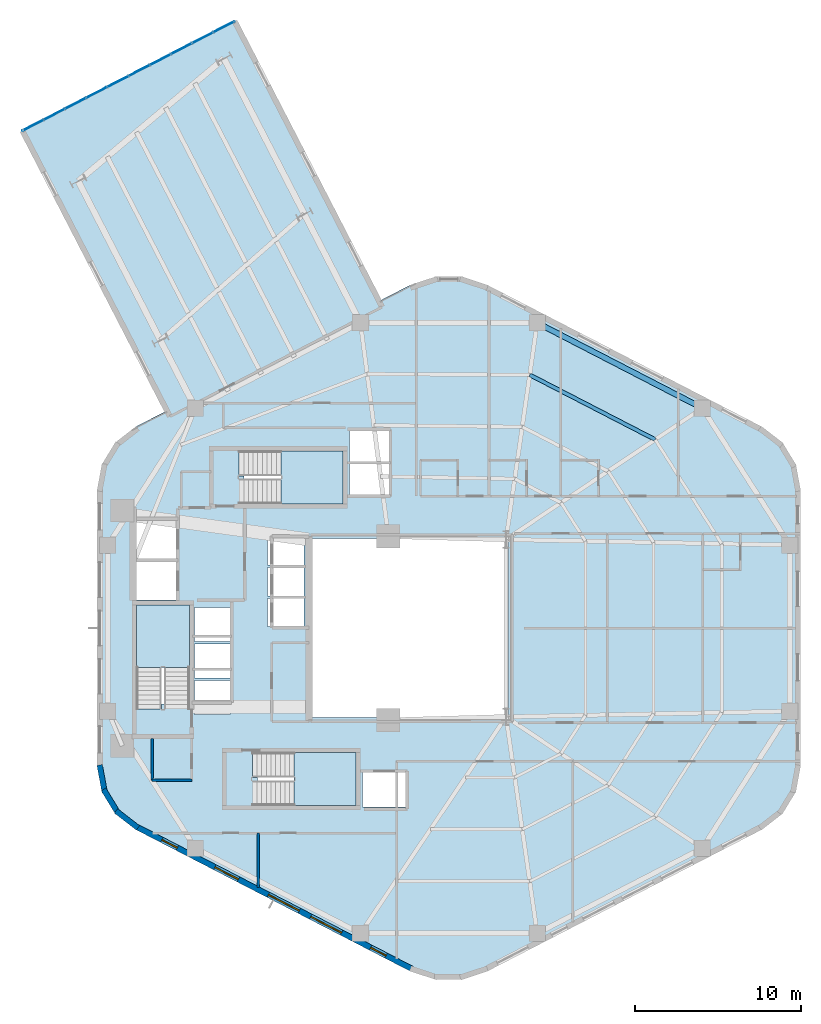
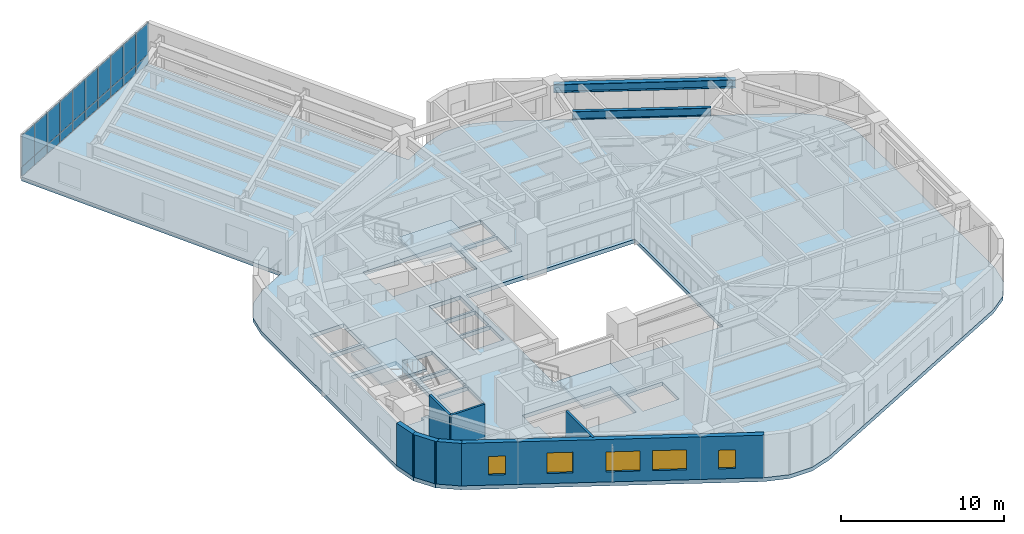
# One storey, part 5 of 11: 20 plates, 7 walls, 5 windows, 4 slabs, 2 beams, 5 openings, 4 elements without a shape of their own.
"""IFC4 building model written with IfcOpenShell, lengths in metres."""

from ifc_helpers import new_model, si_unit, direction, frame, frame_2d, origin, origin_2d, place, context, subcontext, project, spatial, polyline, rectangle, i_section, outline, extrude, material, layer, layer_set, material_profile, profile_set, type_object, element, fill, aggregate, save


model = new_model("IFC4")

# Units and contexts
model_context = context("Model", 3, precision=1e-05, world=origin(), true_north=direction((0.0, 1.0)))
body_context = subcontext(model_context, "Body", "Model", "MODEL_VIEW")
ifc_project = project(units=[si_unit("LENGTHUNIT", "METRE"), si_unit("AREAUNIT", "SQUARE_METRE"), si_unit("VOLUMEUNIT", "CUBIC_METRE"), si_unit("PLANEANGLEUNIT", "RADIAN"), si_unit("MASSUNIT", "GRAM", prefix="KILO"), si_unit("THERMODYNAMICTEMPERATUREUNIT", "KELVIN"), si_unit("POWERUNIT", "WATT")], contexts=[model_context])

# Site, building, storey
site_placement = place(None, origin())
site = spatial("IfcSite", under=ifc_project, at=site_placement, CompositionType="ELEMENT")
building_placement = place(site_placement, origin())
building = spatial("IfcBuilding", under=site, at=building_placement, Name="Skarre Station Tower", CompositionType="ELEMENT")
storey_placement = place(building_placement, frame((0.0, 0.0, 146.39990234375)))
storey = spatial("IfcBuildingStorey", under=building, at=storey_placement, Name="L39", CompositionType="ELEMENT", Elevation=146.39990234375)

# Beams
ifc_material_1 = material(Name="Steel ASTM A992 Grade 50", Category="steel")
ifc_material_profile_1 = material_profile(ifc_material_1, i_section(OverallWidth=0.22802734375, OverallDepth=0.60791015625, WebThickness=0.010986328125, FlangeThickness=0.01708984375, at=origin_2d()), Name="Steel ASTM A992 Grade 50")
ifc_profile_set_1 = profile_set([ifc_material_profile_1], Name="Steel ASTM A992 Grade 50")
beam_type_1 = type_object("IfcBeamType", Name="Steel Joist W24X76", PredefinedType="JOIST", material=ifc_profile_set_1)
beam_1_placement = place(storey_placement, frame((48.448974609375, 35.375, 2.885986328125), z_axis=(-0.888603699553, 0.45867577344, 0.0), x_axis=(-0.45867577344, -0.888603699553, 0.0)))
element("IfcBeam", 1, at=beam_1_placement, inside=storey, type_object=beam_type_1, Name="L39 Secondary Floor Joist 3", PredefinedType="JOIST", context=body_context, shape_type="SweptSolid", body=[
    extrude(i_section(OverallWidth=0.22802734375, OverallDepth=0.60791015625, WebThickness=0.010986328125, FlangeThickness=0.01708984375, at=origin_2d()), origin(), (0.0, 0.0, 1.0), 8.51806640625),
])
ifc_material_profile_2 = material_profile(ifc_material_1, i_section(OverallWidth=0.327880859375, OverallDepth=0.6279296875, WebThickness=0.01708984375, FlangeThickness=0.028076171875, at=origin_2d()), Name="Steel ASTM A992 Grade 50")
ifc_profile_set_2 = profile_set([ifc_material_profile_2], Name="Steel ASTM A992 Grade 50")
beam_type_2 = type_object("IfcBeamType", Name="Steel Spandrel W24X146", PredefinedType="SPANDREL", material=ifc_profile_set_2)
beam_2_placement = place(storey_placement, frame((51.291015625, 37.277099609375, 2.8759765625), z_axis=(-0.888611779493, 0.458660119639, 0.0), x_axis=(-0.458660119639, -0.888611779493, 0.0)))
element("IfcBeam", 2, at=beam_2_placement, inside=storey, type_object=beam_type_2, Name="L39 Facet Spandrel Beam 1", PredefinedType="SPANDREL", context=body_context, shape_type="SweptSolid", body=[
    extrude(i_section(OverallWidth=0.327880859375, OverallDepth=0.6279296875, WebThickness=0.01708984375, FlangeThickness=0.028076171875, at=origin_2d()), origin(), (0.0, 0.0, 1.0), 11.20849609375),
])

# Curtain wall, plates
ifc_material_2 = material(Name="Thermally Broken Bronze-Anodized Aluminium & Triple Low-E Glass", Category="aluminium")
ifc_layer_1 = layer(ifc_material_2, 0.2099609375, Name="Thermally Broken Bronze-Anodized Aluminium & Triple Low-E Glass")
ifc_layer_set_1 = layer_set([ifc_layer_1], Name="Thermally Broken Bronze-Anodized Aluminium & Triple Low-E Glass")
curtain_wall_type = type_object("IfcCurtainWallType", Name="Sky-Bar Prow Structural Glazed Curtain Wall", PredefinedType="NOTDEFINED", material=ifc_layer_set_1)
curtain_wall_placement = place(storey_placement, origin())
curtain_wall = element("IfcCurtainWall", 3, at=curtain_wall_placement, inside=storey, type_object=curtain_wall_type, Name="L39 SB-3 Lakefront Prow Curtain Wall", PredefinedType="NOTDEFINED")
ifc_material_3 = material(Name="Insulated Bronze Anodized Aluminium Spandrel", Category="aluminium")
ifc_layer_2 = layer(ifc_material_3, 0.052001953125, Name="Insulated Bronze Anodized Aluminium Spandrel")
ifc_layer_set_2 = layer_set([ifc_layer_2], Name="Insulated Bronze Anodized Aluminium Spandrel")
plate_type_1 = type_object("IfcPlateType", Name="Bronze Insulated Spandrel Sheet Panel 52", PredefinedType="SHEET", material=ifc_layer_set_2)
plate_1_placement = place(storey_placement, frame((10.9189453125, 54.3359375, 0.052001953125), z_axis=(0.0, 0.0, 1.0), x_axis=(0.888601222224, 0.458680572798, 0.0)))
plate_1 = element("IfcPlate", 4, at=plate_1_placement, type_object=plate_type_1, Name="L39 SB-3 Lakefront Prow Curtain Wall Spandrel Panel 1-1", PredefinedType="SHEET", context=body_context, shape_type="SweptSolid", body=[
    extrude(rectangle(XDim=1.416015625, YDim=0.052001953125, at=origin_2d()), origin(), (0.0, 0.0, 1.0), 0.68603515625),
])
plate_2_placement = place(storey_placement, frame((12.197998046875, 54.9970703125, 0.052001953125), z_axis=(0.0, 0.0, 1.0), x_axis=(0.888601222224, 0.458680572798, 0.0)))
plate_2 = element("IfcPlate", 5, at=plate_2_placement, type_object=plate_type_1, Name="L39 SB-3 Lakefront Prow Curtain Wall Spandrel Panel 2-1", PredefinedType="SHEET", context=body_context, shape_type="SweptSolid", body=[
    extrude(rectangle(XDim=1.416015625, YDim=0.052001953125, at=origin_2d()), origin(), (0.0, 0.0, 1.0), 0.68603515625),
])
plate_3_placement = place(storey_placement, frame((13.47802734375, 55.656982421875, 0.052001953125), z_axis=(0.0, 0.0, 1.0), x_axis=(0.888601222224, 0.458680572798, 0.0)))
plate_3 = element("IfcPlate", 6, at=plate_3_placement, type_object=plate_type_1, Name="L39 SB-3 Lakefront Prow Curtain Wall Spandrel Panel 3-1", PredefinedType="SHEET", context=body_context, shape_type="SweptSolid", body=[
    extrude(rectangle(XDim=1.416015625, YDim=0.052001953125, at=origin_2d()), origin(), (0.0, 0.0, 1.0), 0.68603515625),
])
plate_4_placement = place(storey_placement, frame((14.758056640625, 56.318115234375, 0.052001953125), z_axis=(0.0, 0.0, 1.0), x_axis=(0.888601222224, 0.458680572798, 0.0)))
plate_4 = element("IfcPlate", 7, at=plate_4_placement, type_object=plate_type_1, Name="L39 SB-3 Lakefront Prow Curtain Wall Spandrel Panel 4-1", PredefinedType="SHEET", context=body_context, shape_type="SweptSolid", body=[
    extrude(rectangle(XDim=1.416015625, YDim=0.052001953125, at=origin_2d()), origin(), (0.0, 0.0, 1.0), 0.68603515625),
])
plate_5_placement = place(storey_placement, frame((16.037109375, 56.97802734375, 0.052001953125), z_axis=(0.0, 0.0, 1.0), x_axis=(0.888601222224, 0.458680572798, 0.0)))
plate_5 = element("IfcPlate", 8, at=plate_5_placement, type_object=plate_type_1, Name="L39 SB-3 Lakefront Prow Curtain Wall Spandrel Panel 5-1", PredefinedType="SHEET", context=body_context, shape_type="SweptSolid", body=[
    extrude(rectangle(XDim=1.416015625, YDim=0.052001953125, at=origin_2d()), origin(), (0.0, 0.0, 1.0), 0.68603515625),
])
plate_6_placement = place(storey_placement, frame((17.31689453125, 57.638916015625, 0.052001953125), z_axis=(0.0, 0.0, 1.0), x_axis=(0.888601222224, 0.458680572798, 0.0)))
plate_6 = element("IfcPlate", 9, at=plate_6_placement, type_object=plate_type_1, Name="L39 SB-3 Lakefront Prow Curtain Wall Spandrel Panel 6-1", PredefinedType="SHEET", context=body_context, shape_type="SweptSolid", body=[
    extrude(rectangle(XDim=1.416015625, YDim=0.052001953125, at=origin_2d()), origin(), (0.0, 0.0, 1.0), 0.68603515625),
])
plate_7_placement = place(storey_placement, frame((18.595947265625, 58.299072265625, 0.052001953125), z_axis=(0.0, 0.0, 1.0), x_axis=(0.888601222224, 0.458680572798, 0.0)))
plate_7 = element("IfcPlate", 10, at=plate_7_placement, type_object=plate_type_1, Name="L39 SB-3 Lakefront Prow Curtain Wall Spandrel Panel 7-1", PredefinedType="SHEET", context=body_context, shape_type="SweptSolid", body=[
    extrude(rectangle(XDim=1.416015625, YDim=0.052001953125, at=origin_2d()), origin(), (0.0, 0.0, 1.0), 0.68603515625),
])
plate_8_placement = place(storey_placement, frame((19.8759765625, 58.9599609375, 0.052001953125), z_axis=(0.0, 0.0, 1.0), x_axis=(0.888601222224, 0.458680572798, 0.0)))
plate_8 = element("IfcPlate", 11, at=plate_8_placement, type_object=plate_type_1, Name="L39 SB-3 Lakefront Prow Curtain Wall Spandrel Panel 8-1", PredefinedType="SHEET", context=body_context, shape_type="SweptSolid", body=[
    extrude(rectangle(XDim=1.416015625, YDim=0.052001953125, at=origin_2d()), origin(), (0.0, 0.0, 1.0), 0.68603515625),
])
plate_9_placement = place(storey_placement, frame((21.156005859375, 59.6201171875, 0.052001953125), z_axis=(0.0, 0.0, 1.0), x_axis=(0.888601222224, 0.458680572798, 0.0)))
plate_9 = element("IfcPlate", 12, at=plate_9_placement, type_object=plate_type_1, Name="L39 SB-3 Lakefront Prow Curtain Wall Spandrel Panel 9-1", PredefinedType="SHEET", context=body_context, shape_type="SweptSolid", body=[
    extrude(rectangle(XDim=1.416015625, YDim=0.052001953125, at=origin_2d()), origin(), (0.0, 0.0, 1.0), 0.68603515625),
])
plate_10_placement = place(storey_placement, frame((22.43505859375, 60.281005859375, 0.052001953125), z_axis=(0.0, 0.0, 1.0), x_axis=(0.888601222224, 0.458680572798, 0.0)))
plate_10 = element("IfcPlate", 13, at=plate_10_placement, type_object=plate_type_1, Name="L39 SB-3 Lakefront Prow Curtain Wall Spandrel Panel 10-1", PredefinedType="SHEET", context=body_context, shape_type="SweptSolid", body=[
    extrude(rectangle(XDim=1.416015625, YDim=0.052001953125, at=origin_2d()), origin(), (0.0, 0.0, 1.0), 0.68603515625),
])

# Stair, slab
ifc_material_4 = material(Name="Concrete C40/50", Category="concrete")
stair_type_1 = type_object("IfcStairType", Name="Reinforced Concrete Exit Stair ST-1", PredefinedType="HALF_TURN_STAIR", material=ifc_material_4)
stair_1_placement = place(storey_placement, origin())
stair_1 = element("IfcStair", 14, at=stair_1_placement, inside=storey, type_object=stair_type_1, Name="L39 Core Exit Stair ST-1", PredefinedType="HALF_TURN_STAIR")
ifc_layer_3 = layer(ifc_material_4, 0.219970703125, Name="Concrete C40/50")
ifc_layer_set_3 = layer_set([ifc_layer_3], Name="Concrete C40/50")
slab_type_1 = type_object("IfcSlabType", Name="Reinforced Concrete Stair & Ramp Landing 220", PredefinedType="LANDING", material=ifc_layer_set_3)
slab_1_placement = place(storey_placement, frame((0.0, 0.0, 1.525146484375)))
slab_1 = element("IfcSlab", 15, at=slab_1_placement, type_object=slab_type_1, Name="ST-1 landing 1", PredefinedType="LANDING", context=body_context, shape_type="SweptSolid", body=[
    extrude(outline(polyline([(20.35009765625, 21.639892578125), (20.35009765625, 25.39990234375), (17.14990234375, 25.39990234375), (17.14990234375, 21.639892578125), (20.35009765625, 21.639892578125)])), origin(), (0.0, 0.0, 1.0), 0.199951171875),
])
aggregate(stair_1, [slab_1])

stair_type_2 = type_object("IfcStairType", Name="Reinforced Concrete Exit Stair ST-2", PredefinedType="HALF_TURN_STAIR", material=ifc_material_4)
stair_2_placement = place(storey_placement, origin())
stair_2 = element("IfcStair", 16, at=stair_2_placement, inside=storey, type_object=stair_type_2, Name="L39 Core Exit Stair ST-2", PredefinedType="HALF_TURN_STAIR")
slab_2_placement = place(storey_placement, frame((0.0, 0.0, 1.525146484375)))
slab_2 = element("IfcSlab", 17, at=slab_2_placement, type_object=slab_type_1, Name="ST-2 landing 1", PredefinedType="LANDING", context=body_context, shape_type="SweptSolid", body=[
    extrude(outline(polyline([(26.669921875, 13.300048828125), (30.39990234375, 13.300048828125), (30.39990234375, 16.5), (26.669921875, 16.5), (26.669921875, 13.300048828125)])), origin(), (0.0, 0.0, 1.0), 0.199951171875),
])
aggregate(stair_2, [slab_2])

stair_type_3 = type_object("IfcStairType", Name="Reinforced Concrete Exit Stair ST-3", PredefinedType="HALF_TURN_STAIR", material=ifc_material_4)
stair_3_placement = place(storey_placement, origin())
stair_3 = element("IfcStair", 18, at=stair_3_placement, inside=storey, type_object=stair_type_3, Name="L39 Core Exit Stair ST-3", PredefinedType="HALF_TURN_STAIR")
slab_3_placement = place(storey_placement, frame((0.0, 0.0, 1.525146484375)))
slab_3 = element("IfcSlab", 19, at=slab_3_placement, type_object=slab_type_1, Name="ST-3 landing 1", PredefinedType="LANDING", context=body_context, shape_type="SweptSolid", body=[
    extrude(outline(polyline([(25.8701171875, 31.5), (29.60009765625, 31.5), (29.60009765625, 34.699951171875), (25.8701171875, 34.699951171875), (25.8701171875, 31.5)])), origin(), (0.0, 0.0, 1.0), 0.199951171875),
])
aggregate(stair_3, [slab_3])

# Slab
ifc_material_5 = material(Name="Concrete C50/60", Category="concrete")
ifc_layer_4 = layer(ifc_material_5, 0.2900390625, Name="Concrete C50/60")
ifc_layer_set_4 = layer_set([ifc_layer_4], Name="Concrete C50/60")
slab_type_2 = type_object("IfcSlabType", Name="Sky-Bar Composite Floor Slab 290", PredefinedType="FLOOR", material=ifc_layer_set_4)
slab_4_placement = place(storey_placement, frame((0.0, 0.0, -0.289794921875)))
element("IfcSlab", 20, at=slab_4_placement, inside=storey, type_object=slab_type_2, Name="L39 Tower and SB-3 Floor Slab", PredefinedType="FLOOR", context=body_context, shape_type="SweptSolid", body=[
    extrude(outline(polyline([(31.7890625, 43.72705078125), (23.074951171875, 60.611083984375), (10.279052734375, 54.006103515625), (18.992919921875, 37.123046875), (17.091064453125, 36.14111328125), (15.867919921875, 35.194091796875), (15.06298828125, 33.873046875), (14.781982421875, 32.35205078125), (14.781982421875, 15.64794921875), (15.06298828125, 14.126953125), (15.867919921875, 12.805908203125), (17.091064453125, 11.85888671875), (33.69091796875, 3.291015625), (35.2041015625, 2.7939453125), (36.7958984375, 2.7939453125), (38.30908203125, 3.291015625), (54.908935546875, 11.85888671875), (56.132080078125, 12.805908203125), (56.93701171875, 14.126953125), (57.218017578125, 15.64794921875), (57.218017578125, 32.35205078125), (56.93701171875, 33.873046875), (56.132080078125, 35.194091796875), (54.908935546875, 36.14111328125), (38.30908203125, 44.708984375), (36.7958984375, 45.2060546875), (35.2041015625, 45.2060546875), (33.69091796875, 44.708984375), (31.7890625, 43.72705078125)]), holes=[polyline([(18.669921875, 19.419921875), (18.669921875, 19.123046875), (17.14990234375, 19.123046875), (17.14990234375, 25.39990234375), (20.35009765625, 25.39990234375), (20.35009765625, 19.419921875), (18.669921875, 19.419921875)]), polyline([(24.449951171875, 14.97998046875), (24.153076171875, 14.97998046875), (24.153076171875, 16.5), (30.39990234375, 16.5), (30.39990234375, 13.300048828125), (24.449951171875, 13.300048828125), (24.449951171875, 14.97998046875)]), polyline([(23.64990234375, 33.179931640625), (23.35302734375, 33.179931640625), (23.35302734375, 34.699951171875), (29.60009765625, 34.699951171875), (29.60009765625, 31.5), (23.64990234375, 31.5), (23.64990234375, 33.179931640625)]), polyline([(17.14990234375, 28.0), (19.550048828125, 28.0), (19.550048828125, 25.699951171875), (17.14990234375, 25.699951171875), (17.14990234375, 28.0)]), polyline([(17.14990234375, 30.5), (19.550048828125, 30.5), (19.550048828125, 28.199951171875), (17.14990234375, 28.199951171875), (17.14990234375, 30.5)]), polyline([(30.800048828125, 15.300048828125), (33.39990234375, 15.300048828125), (33.39990234375, 13.199951171875), (30.800048828125, 13.199951171875), (30.800048828125, 15.300048828125)]), polyline([(25.050048828125, 25.800048828125), (27.25, 25.800048828125), (27.25, 24.10009765625), (25.050048828125, 24.10009765625), (25.050048828125, 25.800048828125)]), polyline([(25.050048828125, 27.64990234375), (27.25, 27.64990234375), (27.25, 25.949951171875), (25.050048828125, 25.949951171875), (25.050048828125, 27.64990234375)]), polyline([(25.050048828125, 29.5), (27.25, 29.5), (27.25, 27.800048828125), (25.050048828125, 27.800048828125), (25.050048828125, 29.5)]), polyline([(20.64990234375, 20.85009765625), (22.800048828125, 20.85009765625), (22.800048828125, 18.800048828125), (20.64990234375, 18.800048828125), (20.64990234375, 20.85009765625)]), polyline([(20.64990234375, 23.050048828125), (22.800048828125, 23.050048828125), (22.800048828125, 21.0), (20.64990234375, 21.0), (20.64990234375, 23.050048828125)]), polyline([(20.64990234375, 25.25), (22.800048828125, 25.25), (22.800048828125, 23.199951171875), (20.64990234375, 23.199951171875), (20.64990234375, 25.25)]), polyline([(30.0, 33.89990234375), (32.39990234375, 33.89990234375), (32.39990234375, 32.050048828125), (30.0, 32.050048828125), (30.0, 33.89990234375)]), polyline([(30.0, 35.89990234375), (32.39990234375, 35.89990234375), (32.39990234375, 34.050048828125), (30.0, 34.050048828125), (30.0, 35.89990234375)]), polyline([(27.60009765625, 29.39990234375), (39.60009765625, 29.39990234375), (39.60009765625, 18.60009765625), (27.60009765625, 18.60009765625), (27.60009765625, 29.39990234375)])]), origin(), (0.0, 0.0, 1.0), 0.289794921875),
])

# Plate
ifc_material_6 = material(Name="Low-Iron Triple Insulating Glass Unit", Category="glass")
ifc_layer_5 = layer(ifc_material_6, 0.0439453125, Name="Low-Iron Triple Insulating Glass Unit")
ifc_layer_set_5 = layer_set([ifc_layer_5], Name="Low-Iron Triple Insulating Glass Unit")
plate_type_2 = type_object("IfcPlateType", Name="Triple-Glazed Vision Curtain Panel 44", PredefinedType="CURTAIN_PANEL", material=ifc_layer_set_5)
plate_11_placement = place(storey_placement, frame((10.9189453125, 54.3359375, 0.76220703125), z_axis=(0.0, 0.0, 1.0), x_axis=(0.888601222224, 0.458680572798, 0.0)))
plate_11 = element("IfcPlate", 21, at=plate_11_placement, type_object=plate_type_2, Name="L39 SB-3 Lakefront Prow Curtain Wall Vision Panel 1-2", PredefinedType="CURTAIN_PANEL", context=body_context, shape_type="SweptSolid", body=[
    extrude(rectangle(XDim=1.416015625, YDim=0.0439453125, at=origin_2d()), origin(), (0.0, 0.0, 1.0), 2.3759765625),
])

plate_12_placement = place(storey_placement, frame((12.197998046875, 54.9970703125, 0.76220703125), z_axis=(0.0, 0.0, 1.0), x_axis=(0.888601222224, 0.458680572798, 0.0)))
plate_12 = element("IfcPlate", 22, at=plate_12_placement, type_object=plate_type_2, Name="L39 SB-3 Lakefront Prow Curtain Wall Vision Panel 2-2", PredefinedType="CURTAIN_PANEL", context=body_context, shape_type="SweptSolid", body=[
    extrude(rectangle(XDim=1.416015625, YDim=0.0439453125, at=origin_2d()), origin(), (0.0, 0.0, 1.0), 2.3759765625),
])

plate_13_placement = place(storey_placement, frame((13.47802734375, 55.656982421875, 0.76220703125), z_axis=(0.0, 0.0, 1.0), x_axis=(0.888601222224, 0.458680572798, 0.0)))
plate_13 = element("IfcPlate", 23, at=plate_13_placement, type_object=plate_type_2, Name="L39 SB-3 Lakefront Prow Curtain Wall Vision Panel 3-2", PredefinedType="CURTAIN_PANEL", context=body_context, shape_type="SweptSolid", body=[
    extrude(rectangle(XDim=1.416015625, YDim=0.0439453125, at=origin_2d()), origin(), (0.0, 0.0, 1.0), 2.3759765625),
])

plate_14_placement = place(storey_placement, frame((14.758056640625, 56.318115234375, 0.76220703125), z_axis=(0.0, 0.0, 1.0), x_axis=(0.888601222224, 0.458680572798, 0.0)))
plate_14 = element("IfcPlate", 24, at=plate_14_placement, type_object=plate_type_2, Name="L39 SB-3 Lakefront Prow Curtain Wall Vision Panel 4-2", PredefinedType="CURTAIN_PANEL", context=body_context, shape_type="SweptSolid", body=[
    extrude(rectangle(XDim=1.416015625, YDim=0.0439453125, at=origin_2d()), origin(), (0.0, 0.0, 1.0), 2.3759765625),
])

plate_15_placement = place(storey_placement, frame((16.037109375, 56.97802734375, 0.76220703125), z_axis=(0.0, 0.0, 1.0), x_axis=(0.888601222224, 0.458680572798, 0.0)))
plate_15 = element("IfcPlate", 25, at=plate_15_placement, type_object=plate_type_2, Name="L39 SB-3 Lakefront Prow Curtain Wall Vision Panel 5-2", PredefinedType="CURTAIN_PANEL", context=body_context, shape_type="SweptSolid", body=[
    extrude(rectangle(XDim=1.416015625, YDim=0.0439453125, at=origin_2d()), origin(), (0.0, 0.0, 1.0), 2.3759765625),
])

plate_16_placement = place(storey_placement, frame((17.31689453125, 57.638916015625, 0.76220703125), z_axis=(0.0, 0.0, 1.0), x_axis=(0.888601222224, 0.458680572798, 0.0)))
plate_16 = element("IfcPlate", 26, at=plate_16_placement, type_object=plate_type_2, Name="L39 SB-3 Lakefront Prow Curtain Wall Vision Panel 6-2", PredefinedType="CURTAIN_PANEL", context=body_context, shape_type="SweptSolid", body=[
    extrude(rectangle(XDim=1.416015625, YDim=0.0439453125, at=origin_2d()), origin(), (0.0, 0.0, 1.0), 2.3759765625),
])

plate_17_placement = place(storey_placement, frame((18.595947265625, 58.299072265625, 0.76220703125), z_axis=(0.0, 0.0, 1.0), x_axis=(0.888601222224, 0.458680572798, 0.0)))
plate_17 = element("IfcPlate", 27, at=plate_17_placement, type_object=plate_type_2, Name="L39 SB-3 Lakefront Prow Curtain Wall Vision Panel 7-2", PredefinedType="CURTAIN_PANEL", context=body_context, shape_type="SweptSolid", body=[
    extrude(rectangle(XDim=1.416015625, YDim=0.0439453125, at=origin_2d()), origin(), (0.0, 0.0, 1.0), 2.3759765625),
])

plate_18_placement = place(storey_placement, frame((19.8759765625, 58.9599609375, 0.76220703125), z_axis=(0.0, 0.0, 1.0), x_axis=(0.888601222224, 0.458680572798, 0.0)))
plate_18 = element("IfcPlate", 28, at=plate_18_placement, type_object=plate_type_2, Name="L39 SB-3 Lakefront Prow Curtain Wall Vision Panel 8-2", PredefinedType="CURTAIN_PANEL", context=body_context, shape_type="SweptSolid", body=[
    extrude(rectangle(XDim=1.416015625, YDim=0.0439453125, at=origin_2d()), origin(), (0.0, 0.0, 1.0), 2.3759765625),
])

plate_19_placement = place(storey_placement, frame((21.156005859375, 59.6201171875, 0.76220703125), z_axis=(0.0, 0.0, 1.0), x_axis=(0.888601222224, 0.458680572798, 0.0)))
plate_19 = element("IfcPlate", 29, at=plate_19_placement, type_object=plate_type_2, Name="L39 SB-3 Lakefront Prow Curtain Wall Vision Panel 9-2", PredefinedType="CURTAIN_PANEL", context=body_context, shape_type="SweptSolid", body=[
    extrude(rectangle(XDim=1.416015625, YDim=0.0439453125, at=origin_2d()), origin(), (0.0, 0.0, 1.0), 2.3759765625),
])

plate_20_placement = place(storey_placement, frame((22.43505859375, 60.281005859375, 0.76220703125), z_axis=(0.0, 0.0, 1.0), x_axis=(0.888601222224, 0.458680572798, 0.0)))
plate_20 = element("IfcPlate", 30, at=plate_20_placement, type_object=plate_type_2, Name="L39 SB-3 Lakefront Prow Curtain Wall Vision Panel 10-2", PredefinedType="CURTAIN_PANEL", context=body_context, shape_type="SweptSolid", body=[
    extrude(rectangle(XDim=1.416015625, YDim=0.0439453125, at=origin_2d()), origin(), (0.0, 0.0, 1.0), 2.3759765625),
])

aggregate(curtain_wall, [plate_1, plate_11, plate_2, plate_12, plate_3, plate_13, plate_4, plate_14, plate_5, plate_15, plate_6, plate_16, plate_7, plate_17, plate_8, plate_18, plate_9, plate_19, plate_10, plate_20])

# Walls
ifc_material_7 = material(Name="Acoustic Steel-Stud Gypsum Partition", Category="steel")
ifc_layer_6 = layer(ifc_material_7, 0.14990234375, Name="Acoustic Steel-Stud Gypsum Partition")
ifc_layer_set_6 = layer_set([ifc_layer_6], Name="Acoustic Steel-Stud Gypsum Partition")
wall_type_1 = type_object("IfcWallType", Name="Fire-Rated Corridor Acoustic Partition 150", PredefinedType="PARTITIONING", material=ifc_layer_set_6)
wall_1_placement = place(storey_placement, frame((18.10009765625, 17.340087890625, 0.0), z_axis=(0.0, 0.0, 1.0), x_axis=(0.0, -1.0, 0.0)))
element("IfcWall", 31, at=wall_1_placement, inside=storey, type_object=wall_type_1, Name="L39 Interior Partition WL-PT-L39-CSVC-W", PredefinedType="PARTITIONING", context=body_context, shape_type="SweptSolid", body=[
    extrude(rectangle(XDim=2.52001953125, YDim=0.14990234375, at=frame_2d((1.260009765625, 0.0))), origin(), (0.0, 0.0, 1.0), 3.190185546875),
])
wall_2_placement = place(storey_placement, frame((18.10009765625, 14.820068359375, 0.0), z_axis=(0.0, 0.0, 1.0), x_axis=(1.0, 0.0, 0.0)))
element("IfcWall", 32, at=wall_2_placement, inside=storey, type_object=wall_type_1, Name="L39 Interior Partition WL-PT-L39-CSVC-S", PredefinedType="PARTITIONING", context=body_context, shape_type="SweptSolid", body=[
    extrude(rectangle(XDim=2.389892578125, YDim=0.14990234375, at=frame_2d((1.19482421875, 0.0))), origin(), (0.0, 0.0, 1.0), 3.190185546875),
])
wall_3_placement = place(storey_placement, frame((24.5, 8.35009765625, 0.0), z_axis=(0.0, 0.0, 1.0), x_axis=(0.0, 1.0, 0.0)))
element("IfcWall", 33, at=wall_3_placement, inside=storey, type_object=wall_type_1, Name="L39 Interior Partition WL-PT-L39-SWP-M", PredefinedType="PARTITIONING", context=body_context, shape_type="SweptSolid", body=[
    extrude(rectangle(XDim=3.289794921875, YDim=0.14990234375, at=frame_2d((1.64501953125, 0.0))), origin(), (0.0, 0.0, 1.0), 3.190185546875),
])

# Wall, openings, windows
ifc_material_8 = material(Name="Precast concrete C45/55", Category="concrete")
ifc_layer_7 = layer(ifc_material_8, 0.340087890625, Name="Precast concrete C45/55")
ifc_layer_set_7 = layer_set([ifc_layer_7], Name="Precast concrete C45/55")
wall_type_2 = type_object("IfcWallType", Name="Nordic Honed Precast Facet Wall 340", PredefinedType="STANDARD", material=ifc_layer_set_7)
wall_4_placement = place(storey_placement, frame((33.76904296875, 3.44189453125, 0.0), z_axis=(0.0, 0.0, 1.0), x_axis=(-0.888613612362, 0.458656568606, 0.0)))
wall_4 = element("IfcWall", 34, at=wall_4_placement, inside=storey, type_object=wall_type_2, Name="L39 Facet 3 Nordic Precast Masonry Wall", PredefinedType="STANDARD", context=body_context, shape_type="SweptSolid", body=[
    extrude(rectangle(XDim=18.680908203125, YDim=0.340087890625, at=frame_2d((9.34033203125, 0.0))), origin(), (0.0, 0.0, 1.0), 3.190185546875),
])
opening_1_placement = place(wall_4_placement, frame((1.75, 0.0, 0.75)))
opening_1 = element("IfcOpeningElement", 35, at=opening_1_placement, cuts=wall_4, Name="Opening WN-SLT", PredefinedType="OPENING", context=body_context, shape_type="SweptSolid", body=[
    extrude(rectangle(XDim=1.050048828125, YDim=1.39990234375, at=frame_2d((0.52490234375, 0.699951171875))), frame((0.0, 0.179931640625, 0.0), z_axis=(0.0, -1.0, 0.0), x_axis=(1.0, 0.0, 0.0)), (0.0, 0.0, 1.0), 0.360107421875),
])
opening_2_placement = place(wall_4_placement, frame((4.764892578125, 0.0, 0.75)))
opening_2 = element("IfcOpeningElement", 36, at=opening_2_placement, cuts=wall_4, Name="Opening WN-Z2B", PredefinedType="OPENING", context=body_context, shape_type="SweptSolid", body=[
    extrude(rectangle(XDim=2.10009765625, YDim=1.5, at=frame_2d((1.050048828125, 0.75))), frame((0.0, 0.179931640625, 0.0), z_axis=(0.0, -1.0, 0.0), x_axis=(1.0, 0.0, 0.0)), (0.0, 0.0, 1.0), 0.360107421875),
])
opening_3_placement = place(wall_4_placement, frame((7.64404296875, 0.0, 0.75)))
opening_3 = element("IfcOpeningElement", 37, at=opening_3_placement, cuts=wall_4, Name="Opening WN-Z2B", PredefinedType="OPENING", context=body_context, shape_type="SweptSolid", body=[
    extrude(rectangle(XDim=2.10009765625, YDim=1.5, at=frame_2d((1.050048828125, 0.75))), frame((0.0, 0.179931640625, 0.0), z_axis=(0.0, -1.0, 0.0), x_axis=(1.0, 0.0, 0.0)), (0.0, 0.0, 1.0), 0.360107421875),
])
opening_4_placement = place(wall_4_placement, frame((11.77392578125, 0.0, 0.75)))
opening_4 = element("IfcOpeningElement", 38, at=opening_4_placement, cuts=wall_4, Name="Opening WN-Z2A", PredefinedType="OPENING", context=body_context, shape_type="SweptSolid", body=[
    extrude(rectangle(XDim=1.60009765625, YDim=1.550048828125, at=frame_2d((0.800048828125, 0.77490234375))), frame((0.0, 0.179931640625, 0.0), z_axis=(0.0, -1.0, 0.0), x_axis=(1.0, 0.0, 0.0)), (0.0, 0.0, 1.0), 0.360107421875),
])
opening_5_placement = place(wall_4_placement, frame((15.919921875, 0.0, 0.75)))
opening_5 = element("IfcOpeningElement", 39, at=opening_5_placement, cuts=wall_4, Name="Opening WN-SLT", PredefinedType="OPENING", context=body_context, shape_type="SweptSolid", body=[
    extrude(rectangle(XDim=1.050048828125, YDim=1.39990234375, at=frame_2d((0.52490234375, 0.699951171875))), frame((0.0, 0.179931640625, 0.0), z_axis=(0.0, -1.0, 0.0), x_axis=(1.0, 0.0, 0.0)), (0.0, 0.0, 1.0), 0.360107421875),
])
ifc_material_9 = material(Name="Low-Iron Triple Glazing with Bronze Anodized Frame", Category="glass")
window_type_1 = type_object("IfcWindowType", Name="Nordic Corner Slot Window 1050x1400", PartitioningType="SINGLE_PANEL", PredefinedType="WINDOW", material=ifc_material_9)
window_1_placement = place(opening_1_placement, origin())
window_1 = element("IfcWindow", 40, at=window_1_placement, inside=storey, type_object=window_type_1, Name="L39 Facade Window WL-FAC-L39-F3-1", OverallHeight=1.39990234375, OverallWidth=1.050048828125, PartitioningType="SINGLE_PANEL", PredefinedType="WINDOW", context=body_context, shape_type="SweptSolid", body=[
    extrude(rectangle(XDim=1.050048828125, YDim=1.39990234375, at=frame_2d((0.52490234375, 0.699951171875))), frame((0.0, 0.030029296875, 0.0), z_axis=(0.0, -1.0, 0.0), x_axis=(1.0, 0.0, 0.0)), (0.0, 0.0, 1.0), 0.06005859375),
])
fill(opening_1, window_1)
window_2_placement = place(opening_5_placement, origin())
window_2 = element("IfcWindow", 41, at=window_2_placement, inside=storey, type_object=window_type_1, Name="L39 Facade Window WL-FAC-L39-F3-5", OverallHeight=1.39990234375, OverallWidth=1.050048828125, PartitioningType="SINGLE_PANEL", PredefinedType="WINDOW", context=body_context, shape_type="SweptSolid", body=[
    extrude(rectangle(XDim=1.050048828125, YDim=1.39990234375, at=frame_2d((0.52490234375, 0.699951171875))), frame((0.0, 0.030029296875, 0.0), z_axis=(0.0, -1.0, 0.0), x_axis=(1.0, 0.0, 0.0)), (0.0, 0.0, 1.0), 0.06005859375),
])
fill(opening_5, window_2)
window_type_2 = type_object("IfcWindowType", Name="Nordic Residential Tall Window 1600x1550", PartitioningType="SINGLE_PANEL", PredefinedType="WINDOW", material=ifc_material_9)
window_3_placement = place(opening_4_placement, origin())
window_3 = element("IfcWindow", 42, at=window_3_placement, inside=storey, type_object=window_type_2, Name="L39 Facade Window WL-FAC-L39-F3-4", OverallHeight=1.550048828125, OverallWidth=1.60009765625, PartitioningType="SINGLE_PANEL", PredefinedType="WINDOW", context=body_context, shape_type="SweptSolid", body=[
    extrude(rectangle(XDim=1.60009765625, YDim=1.550048828125, at=frame_2d((0.800048828125, 0.77490234375))), frame((0.0, 0.030029296875, 0.0), z_axis=(0.0, -1.0, 0.0), x_axis=(1.0, 0.0, 0.0)), (0.0, 0.0, 1.0), 0.06005859375),
])
fill(opening_4, window_3)
window_type_3 = type_object("IfcWindowType", Name="Nordic Residential Twin Window 2100x1500", PartitioningType="SINGLE_PANEL", PredefinedType="WINDOW", material=ifc_material_9)
window_4_placement = place(opening_2_placement, origin())
window_4 = element("IfcWindow", 43, at=window_4_placement, inside=storey, type_object=window_type_3, Name="L39 Facade Window WL-FAC-L39-F3-2", OverallHeight=1.5, OverallWidth=2.10009765625, PartitioningType="SINGLE_PANEL", PredefinedType="WINDOW", context=body_context, shape_type="SweptSolid", body=[
    extrude(rectangle(XDim=2.10009765625, YDim=1.5, at=frame_2d((1.050048828125, 0.75))), frame((0.0, 0.030029296875, 0.0), z_axis=(0.0, -1.0, 0.0), x_axis=(1.0, 0.0, 0.0)), (0.0, 0.0, 1.0), 0.06005859375),
])
fill(opening_2, window_4)
window_5_placement = place(opening_3_placement, origin())
window_5 = element("IfcWindow", 44, at=window_5_placement, inside=storey, type_object=window_type_3, Name="L39 Facade Window WL-FAC-L39-F3-3", OverallHeight=1.5, OverallWidth=2.10009765625, PartitioningType="SINGLE_PANEL", PredefinedType="WINDOW", context=body_context, shape_type="SweptSolid", body=[
    extrude(rectangle(XDim=2.10009765625, YDim=1.5, at=frame_2d((1.050048828125, 0.75))), frame((0.0, 0.030029296875, 0.0), z_axis=(0.0, -1.0, 0.0), x_axis=(1.0, 0.0, 0.0)), (0.0, 0.0, 1.0), 0.06005859375),
])
fill(opening_3, window_5)

# Walls
ifc_layer_8 = layer(ifc_material_8, 0.330078125, Name="Precast concrete C45/55")
ifc_layer_set_8 = layer_set([ifc_layer_8], Name="Precast concrete C45/55")
wall_type_3 = type_object("IfcWallType", Name="Nordic Rounded Corner Precast Wall 330", PredefinedType="STANDARD", material=ifc_layer_set_8)
wall_5_placement = place(storey_placement, frame((17.242919921875, 11.949951171875, 0.0), z_axis=(0.0, 0.0, 1.0), x_axis=(-0.790621329885, 0.612305408053, 0.0)))
element("IfcWall", 45, at=wall_5_placement, inside=storey, type_object=wall_type_3, Name="L39 Rounded Corner Precast Wall F3-1", PredefinedType="STANDARD", context=body_context, shape_type="SweptSolid", body=[
    extrude(rectangle(XDim=1.67578125, YDim=0.330078125, at=frame_2d((0.837890625, 0.0))), origin(), (0.0, 0.0, 1.0), 3.190185546875),
])
wall_6_placement = place(storey_placement, frame((16.04296875, 12.8359375, 0.0), z_axis=(0.0, 0.0, 1.0), x_axis=(-0.520519429557, 0.853849824883, 0.0)))
element("IfcWall", 46, at=wall_6_placement, inside=storey, type_object=wall_type_3, Name="L39 Rounded Corner Precast Wall F3-2", PredefinedType="STANDARD", context=body_context, shape_type="SweptSolid", body=[
    extrude(rectangle(XDim=1.67724609375, YDim=0.330078125, at=frame_2d((0.838623046875, 0.0))), origin(), (0.0, 0.0, 1.0), 3.190185546875),
])
wall_7_placement = place(storey_placement, frame((15.237060546875, 14.093017578125, 0.0), z_axis=(0.0, 0.0, 1.0), x_axis=(-0.181984991895, 0.983301308209, 0.0)))
element("IfcWall", 47, at=wall_7_placement, inside=storey, type_object=wall_type_3, Name="L39 Rounded Corner Precast Wall F3-3", PredefinedType="STANDARD", context=body_context, shape_type="SweptSolid", body=[
    extrude(rectangle(XDim=1.677001953125, YDim=0.330078125, at=frame_2d((0.83837890625, 0.0))), origin(), (0.0, 0.0, 1.0), 3.190185546875),
])

save(model, "model.ifc")
